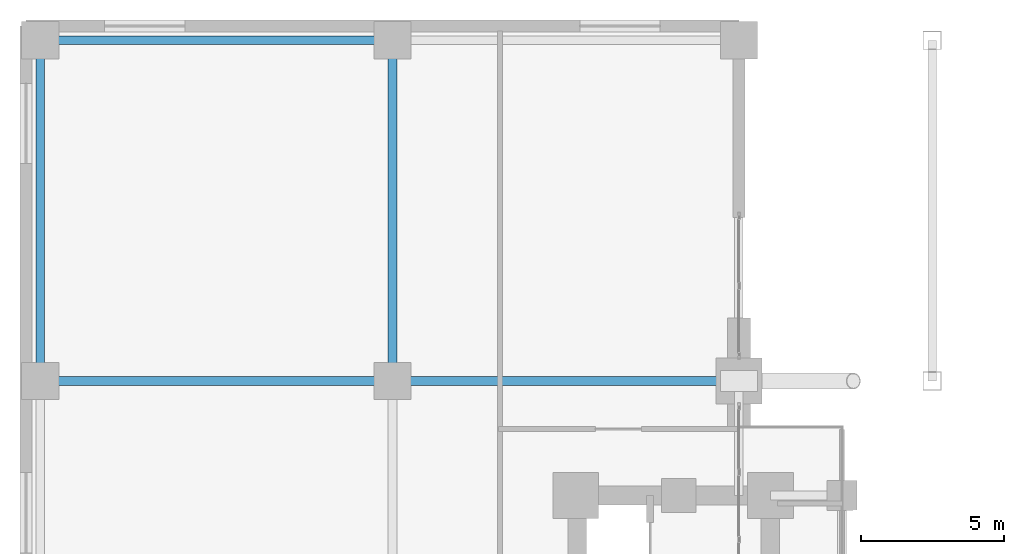
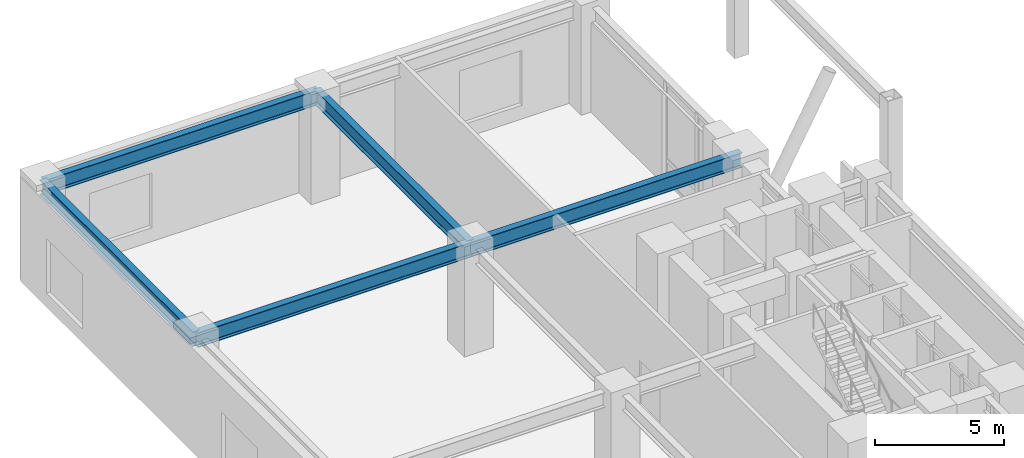
# One storey, part 10 of 27: 5 beams.
"""IFC4 building model written with IfcOpenShell, lengths in metres."""

from ifc_helpers import new_model, si_unit, direction, frame, origin, origin_2d, place, context, subcontext, project, spatial, i_section, extrude, material, material_profile, profile_set, type_object, element, save


model = new_model("IFC4")

# Units and contexts
model_context = context("Model", 3, precision=1e-05, world=origin(), true_north=direction((0.0, 1.0)))
body_context = subcontext(model_context, "Body", "Model", "MODEL_VIEW")
ifc_project = project(units=[si_unit("LENGTHUNIT", "METRE"), si_unit("AREAUNIT", "SQUARE_METRE"), si_unit("VOLUMEUNIT", "CUBIC_METRE"), si_unit("PLANEANGLEUNIT", "RADIAN"), si_unit("MASSUNIT", "GRAM", prefix="KILO")], contexts=[model_context])

# Site, building, storey
site_placement = place(None, origin())
site = spatial("IfcSite", under=ifc_project, at=site_placement, CompositionType="ELEMENT")
building_placement = place(site_placement, origin())
building = spatial("IfcBuilding", under=site, at=building_placement, Name="Voryun Gate Residences", CompositionType="ELEMENT")
storey_placement = place(building_placement, frame((0.0, 0.0, 5.199951171875)))
storey = spatial("IfcBuildingStorey", under=building, at=storey_placement, Name="L01", CompositionType="ELEMENT", Elevation=5.199951171875)

# Beams
ifc_material = material(Name="Steel SM355", Category="steel")
ifc_material_profile = material_profile(ifc_material, i_section(OverallWidth=0.300048828125, OverallDepth=0.699951171875, WebThickness=0.012939453125, FlangeThickness=0.02392578125, FilletRadius=0.01806640625, at=origin_2d()), Name="H-700x300x13x24")
ifc_profile_set = profile_set([ifc_material_profile], Name="Steel SM355")
beam_type = type_object("IfcBeamType", Name="BM_GIRD_700", PredefinedType="USERDEFINED", material=ifc_profile_set)
beam_1_placement = place(storey_placement, frame((-37.89990234375, 11.39990234375, 4.570068359375), z_axis=(1.0, 0.0, 0.0), x_axis=(0.0, 1.0, 0.0)))
element("IfcBeam", 1, at=beam_1_placement, inside=storey, type_object=beam_type, Name="BM-L01-PWX-+11.4-0", ObjectType="GIRDER", PredefinedType="USERDEFINED", context=body_context, shape_type="SweptSolid", body=[
    extrude(i_section(OverallWidth=0.300048828125, OverallDepth=0.699951171875, WebThickness=0.012939453125, FlangeThickness=0.02392578125, FilletRadius=0.01806640625, at=origin_2d()), origin(), (0.0, 0.0, 1.0), 12.2998046875),
])
beam_2_placement = place(storey_placement, frame((-25.60009765625, 11.39990234375, 4.570068359375), z_axis=(1.0, 0.0, 0.0), x_axis=(0.0, 1.0, 0.0)))
element("IfcBeam", 2, at=beam_2_placement, inside=storey, type_object=beam_type, Name="BM-L01-PWX-+11.4-1", ObjectType="GIRDER", PredefinedType="USERDEFINED", context=body_context, shape_type="SweptSolid", body=[
    extrude(i_section(OverallWidth=0.300048828125, OverallDepth=0.699951171875, WebThickness=0.012939453125, FlangeThickness=0.02392578125, FilletRadius=0.01806640625, at=origin_2d()), origin(), (0.0, 0.0, 1.0), 12.10009765625),
])
beam_3_placement = place(storey_placement, frame((-37.89990234375, 23.300048828125, 4.570068359375), z_axis=(1.0, 0.0, 0.0), x_axis=(0.0, 1.0, 0.0)))
element("IfcBeam", 3, at=beam_3_placement, inside=storey, type_object=beam_type, Name="BM-L01-PWX-+23.3-0", ObjectType="GIRDER", PredefinedType="USERDEFINED", context=body_context, shape_type="SweptSolid", body=[
    extrude(i_section(OverallWidth=0.300048828125, OverallDepth=0.699951171875, WebThickness=0.012939453125, FlangeThickness=0.02392578125, FilletRadius=0.01806640625, at=origin_2d()), origin(), (0.0, 0.0, 1.0), 12.2998046875),
])
for number, where, z_axis, x_axis, name in (
    (4, (-37.89990234375, 11.39990234375, 4.570068359375), (0.0, 1.0, 0.0), (-1.0, 0.0, 0.0), "BM-L01-PWY--37.9-3"),
    (5, (-25.60009765625, 11.39990234375, 4.570068359375), (0.0, 1.0, 0.0), (-1.0, 0.0, 0.0), "BM-L01-PWY--25.6-3"),
):
    element("IfcBeam", number, at=place(storey_placement, frame(where, z_axis=z_axis, x_axis=x_axis)), inside=storey, type_object=beam_type, Name=name, ObjectType="GIRDER", PredefinedType="USERDEFINED", context=body_context, shape_type="SweptSolid", body=[
        extrude(i_section(OverallWidth=0.300048828125, OverallDepth=0.699951171875, WebThickness=0.012939453125, FlangeThickness=0.02392578125, FilletRadius=0.01806640625, at=origin_2d()), origin(), (0.0, 0.0, 1.0), 11.900146484375),
    ])

save(model, "model.ifc")
